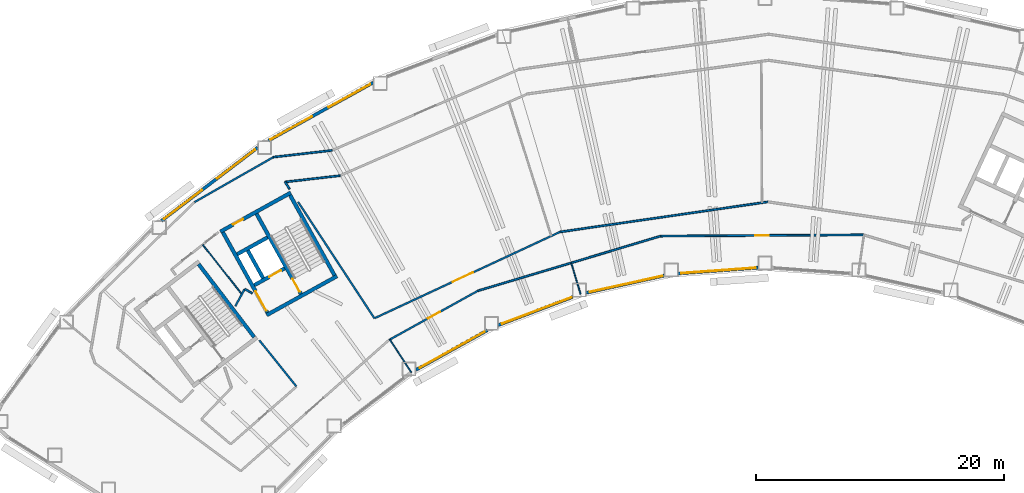
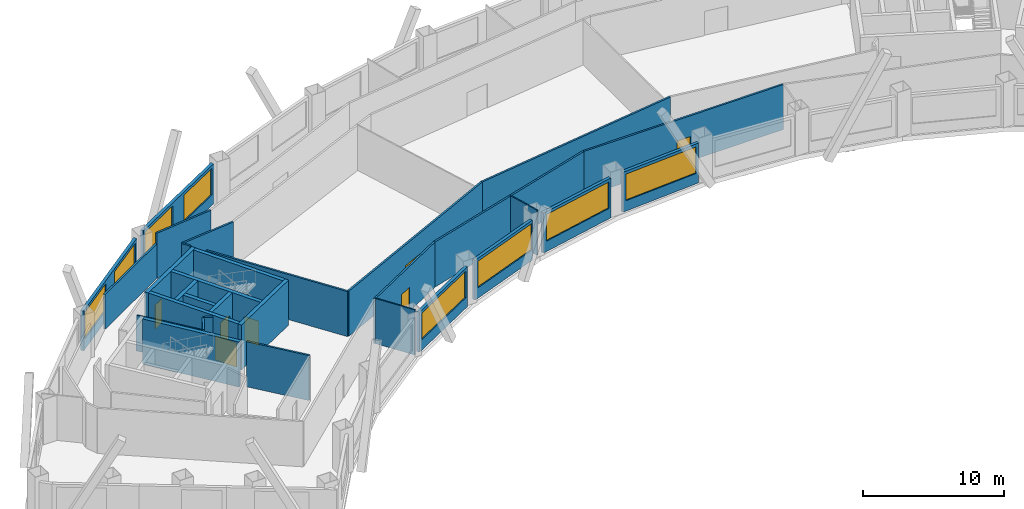
# One storey, part 4 of 11: 31 walls, 8 windows, 7 doors, 15 openings.
"""IFC4 building model written with IfcOpenShell, lengths in metres."""

from ifc_helpers import new_model, si_unit, direction, frame, frame_2d, origin, place, context, subcontext, project, spatial, rectangle, extrude, material, layer, layer_set, type_object, element, fill, save


model = new_model("IFC4")

# Units and contexts
model_context = context("Model", 3, precision=1e-05, world=origin(), true_north=direction((0.0, 1.0)))
body_context = subcontext(model_context, "Body", "Model", "MODEL_VIEW")
ifc_project = project(units=[si_unit("LENGTHUNIT", "METRE"), si_unit("AREAUNIT", "SQUARE_METRE"), si_unit("VOLUMEUNIT", "CUBIC_METRE"), si_unit("PLANEANGLEUNIT", "RADIAN"), si_unit("MASSUNIT", "GRAM", prefix="KILO")], contexts=[model_context])

# Site, building, storey
site_placement = place(None, origin())
site = spatial("IfcSite", under=ifc_project, at=site_placement, CompositionType="ELEMENT")
building_placement = place(site_placement, origin())
building = spatial("IfcBuilding", under=site, at=building_placement, Name="Tuul Gate Civic Tower", CompositionType="ELEMENT")
storey_placement = place(building_placement, frame((0.0, 0.0, 99.300048828125)))
storey = spatial("IfcBuildingStorey", under=building, at=storey_placement, Name="Level 22", CompositionType="ELEMENT", Elevation=99.300048828125)

# Walls
ifc_material_1 = material(Name="Concrete C50/60", Category="concrete")
ifc_layer_1 = layer(ifc_material_1, 0.300048828125)
ifc_layer_set_1 = layer_set([ifc_layer_1], Name="Concrete C50/60")
wall_type_1 = type_object("IfcWallType", Name="Core wall C50/60", PredefinedType="SHEAR", material=ifc_layer_set_1)
wall_1_placement = place(storey_placement, frame((-31.401123046875, -13.64111328125, 0.0), z_axis=(0.0, 0.0, 1.0), x_axis=(-0.605769822278, 0.795639945213, 0.0)))
element("IfcWall", 1, at=wall_1_placement, inside=storey, type_object=wall_type_1, Name="Core wall", PredefinedType="SHEAR", context=body_context, shape_type="SweptSolid", body=[
    extrude(rectangle(XDim=7.39990234375, YDim=0.300048828125, at=frame_2d((3.699951171875, 0.0))), origin(), (0.0, 0.0, 1.0), 3.89990234375),
])
wall_2_placement = place(storey_placement, frame((-24.711669921875, -8.7158203125, 0.0), z_axis=(0.0, 0.0, 1.0), x_axis=(-0.874629909008, -0.484791215132, 0.0)))
element("IfcWall", 2, at=wall_2_placement, inside=storey, type_object=wall_type_1, Name="Core wall", PredefinedType="SHEAR", context=body_context, shape_type="SweptSolid", body=[
    extrude(rectangle(XDim=6.5, YDim=0.300048828125, at=frame_2d((3.25, 0.0))), origin(), (0.0, 0.0, 1.0), 3.89990234375),
])

# Wall, opening, door
wall_3_placement = place(storey_placement, frame((-28.94580078125, -8.090087890625, 0.0), z_axis=(0.0, 0.0, 1.0), x_axis=(-0.874629840737, -0.484791338301, 0.0)))
wall_3 = element("IfcWall", 3, at=wall_3_placement, inside=storey, type_object=wall_type_1, Name="Core wall", PredefinedType="SHEAR", context=body_context, shape_type="SweptSolid", body=[
    extrude(rectangle(XDim=2.800048828125, YDim=0.300048828125, at=frame_2d((1.39990234375, 0.0))), origin(), (0.0, 0.0, 1.0), 3.89990234375),
])
opening_1_placement = place(wall_3_placement, frame((0.324951171875, 0.0, 0.0)))
opening_1 = element("IfcOpeningElement", 4, at=opening_1_placement, cuts=wall_3, Name="Opening LD-FF-1", PredefinedType="OPENING", context=body_context, shape_type="SweptSolid", body=[
    extrude(rectangle(XDim=1.10009765625, YDim=2.10009765625, at=frame_2d((0.550048828125, 1.050048828125))), frame((0.0, 0.16015625, 0.0), z_axis=(0.0, -1.0, 0.0), x_axis=(1.0, 0.0, 0.0)), (0.0, 0.0, 1.0), 0.320068359375),
])
ifc_material_2 = material(Name="Stainless steel", Category="steel")
door_type_1 = type_object("IfcDoorType", Name="Landing door", OperationType="DOUBLE_DOOR_SLIDING", PredefinedType="DOOR", material=ifc_material_2)
door_1_placement = place(opening_1_placement, origin())
door_1 = element("IfcDoor", 5, at=door_1_placement, inside=storey, type_object=door_type_1, Name="Fire-fighting lift FF-1 landing door", OperationType="DOUBLE_DOOR_SLIDING", OverallHeight=2.10009765625, OverallWidth=1.10009765625, PredefinedType="DOOR", context=body_context, shape_type="SweptSolid", body=[
    extrude(rectangle(XDim=1.10009765625, YDim=2.10009765625, at=frame_2d((0.550048828125, 1.050048828125))), frame((0.0, 0.02490234375, 0.0), z_axis=(0.0, -1.0, 0.0), x_axis=(1.0, 0.0, 0.0)), (0.0, 0.0, 1.0), 0.050048828125),
])
fill(opening_1, door_1)

# Wall
wall_4_placement = place(storey_placement, frame((-30.327392578125, -5.59716796875, 0.0), z_axis=(0.0, 0.0, 1.0), x_axis=(-0.874629840737, -0.484791338301, 0.0)))
element("IfcWall", 6, at=wall_4_placement, inside=storey, type_object=wall_type_1, Name="Core wall", PredefinedType="SHEAR", context=body_context, shape_type="SweptSolid", body=[
    extrude(rectangle(XDim=2.800048828125, YDim=0.300048828125, at=frame_2d((1.39990234375, 0.0))), origin(), (0.0, 0.0, 1.0), 3.89990234375),
])

# Wall, opening, door
wall_5_placement = place(storey_placement, frame((-28.4443359375, -1.98095703125, 0.0), z_axis=(0.0, 0.0, 1.0), x_axis=(-0.874629909008, -0.484791215132, 0.0)))
wall_5 = element("IfcWall", 7, at=wall_5_placement, inside=storey, type_object=wall_type_1, Name="Core wall", PredefinedType="SHEAR", context=body_context, shape_type="SweptSolid", body=[
    extrude(rectangle(XDim=6.5, YDim=0.300048828125, at=frame_2d((3.25, 0.0))), origin(), (0.0, 0.0, 1.0), 3.89990234375),
])
opening_2_placement = place(wall_5_placement, frame((4.425048828125, 0.0, 0.0)))
opening_2 = element("IfcOpeningElement", 8, at=opening_2_placement, cuts=wall_5, Name="Opening G-D26", PredefinedType="OPENING", context=body_context, shape_type="SweptSolid", body=[
    extrude(rectangle(XDim=0.89990234375, YDim=2.10009765625, at=frame_2d((0.449951171875, 1.050048828125))), frame((0.0, 0.16015625, 0.0), z_axis=(0.0, -1.0, 0.0), x_axis=(1.0, 0.0, 0.0)), (0.0, 0.0, 1.0), 0.320068359375),
])
ifc_material_3 = material(Name="Timber door leaf", Category="wood")
door_type_2 = type_object("IfcDoorType", Name="Door D09", OperationType="NOTDEFINED", PredefinedType="DOOR", material=ifc_material_3)
door_2_placement = place(opening_2_placement, origin())
door_2 = element("IfcDoor", 9, at=door_2_placement, inside=storey, type_object=door_type_2, Name="Door G-D26", OperationType="SINGLE_SWING_LEFT", OverallHeight=2.10009765625, OverallWidth=0.89990234375, PredefinedType="DOOR", context=body_context, shape_type="SweptSolid", body=[
    extrude(rectangle(XDim=0.89990234375, YDim=2.10009765625, at=frame_2d((0.449951171875, 1.050048828125))), frame((0.0, 0.02490234375, 0.0), z_axis=(0.0, -1.0, 0.0), x_axis=(1.0, 0.0, 0.0)), (0.0, 0.0, 1.0), 0.050048828125),
])
fill(opening_2, door_2)

# Wall
wall_6_placement = place(storey_placement, frame((-24.91552734375, -8.6572265625, 0.0), z_axis=(0.0, 0.0, 1.0), x_axis=(-0.484777133038, 0.874637714304, 0.0)))
element("IfcWall", 10, at=wall_6_placement, inside=storey, type_object=wall_type_1, Name="Core wall", PredefinedType="SHEAR", context=body_context, shape_type="SweptSolid", body=[
    extrude(rectangle(XDim=7.400146484375, YDim=0.300048828125, at=frame_2d((3.7001953125, 0.0))), origin(), (0.0, 0.0, 1.0), 3.89990234375),
])

# Wall, opening, door
wall_7_placement = place(storey_placement, frame((-27.626953125, -10.16015625, 0.0), z_axis=(0.0, 0.0, 1.0), x_axis=(-0.484751894226, 0.874651702704, 0.0)))
wall_7 = element("IfcWall", 11, at=wall_7_placement, inside=storey, type_object=wall_type_1, Name="Core wall", PredefinedType="SHEAR", context=body_context, shape_type="SweptSolid", body=[
    extrude(rectangle(XDim=7.39990234375, YDim=0.300048828125, at=frame_2d((3.699951171875, 0.0))), origin(), (0.0, 0.0, 1.0), 3.89990234375),
])
opening_3_placement = place(wall_7_placement, frame((0.199951171875, 0.0, 0.0)))
opening_3 = element("IfcOpeningElement", 12, at=opening_3_placement, cuts=wall_7, Name="Opening SD-ST-2", PredefinedType="OPENING", context=body_context, shape_type="SweptSolid", body=[
    extrude(rectangle(XDim=1.199951171875, YDim=2.10009765625, at=frame_2d((0.60009765625, 1.050048828125))), frame((0.0, 0.16015625, 0.0), z_axis=(0.0, -1.0, 0.0), x_axis=(1.0, 0.0, 0.0)), (0.0, 0.0, 1.0), 0.320068359375),
])
ifc_material_4 = material(Name="Steel", Category="steel")
door_type_3 = type_object("IfcDoorType", Name="Stair door", OperationType="NOTDEFINED", PredefinedType="DOOR", material=ifc_material_4)
door_3_placement = place(opening_3_placement, origin())
door_3 = element("IfcDoor", 13, at=door_3_placement, inside=storey, type_object=door_type_3, Name="Stair door ST-2", OperationType="SINGLE_SWING_LEFT", OverallHeight=2.10009765625, OverallWidth=1.199951171875, PredefinedType="DOOR", context=body_context, shape_type="SweptSolid", body=[
    extrude(rectangle(XDim=1.199951171875, YDim=2.10009765625, at=frame_2d((0.60009765625, 1.050048828125))), frame((0.0, 0.02490234375, 0.0), z_axis=(0.0, -1.0, 0.0), x_axis=(1.0, 0.0, 0.0)), (0.0, 0.0, 1.0), 0.050048828125),
])
fill(opening_3, door_3)

# Wall
wall_8_placement = place(storey_placement, frame((-30.680419921875, -8.8798828125, 0.0), z_axis=(0.0, 0.0, 1.0), x_axis=(-0.484724115216, 0.874667097888, 0.0)))
element("IfcWall", 14, at=wall_8_placement, inside=storey, type_object=wall_type_1, Name="Core wall", PredefinedType="SHEAR", context=body_context, shape_type="SweptSolid", body=[
    extrude(rectangle(XDim=2.550048828125, YDim=0.300048828125, at=frame_2d((1.27490234375, 0.0))), origin(), (0.0, 0.0, 1.0), 3.89990234375),
])

# Wall, opening, door
wall_9_placement = place(storey_placement, frame((-30.33837890625, -11.6630859375, 0.0), z_axis=(0.0, 0.0, 1.0), x_axis=(-0.484751894226, 0.874651702704, 0.0)))
wall_9 = element("IfcWall", 15, at=wall_9_placement, inside=storey, type_object=wall_type_1, Name="Core wall", PredefinedType="SHEAR", context=body_context, shape_type="SweptSolid", body=[
    extrude(rectangle(XDim=7.39990234375, YDim=0.300048828125, at=frame_2d((3.699951171875, 0.0))), origin(), (0.0, 0.0, 1.0), 3.89990234375),
])
opening_4_placement = place(wall_9_placement, frame((0.175048828125, 0.0, 0.0)))
opening_4 = element("IfcOpeningElement", 16, at=opening_4_placement, cuts=wall_9, Name="Opening LB-W2-FLOBBY-1", PredefinedType="OPENING", context=body_context, shape_type="SweptSolid", body=[
    extrude(rectangle(XDim=1.800048828125, YDim=2.10009765625, at=frame_2d((0.89990234375, 1.050048828125))), frame((0.0, 0.16015625, 0.0), z_axis=(0.0, -1.0, 0.0), x_axis=(1.0, 0.0, 0.0)), (0.0, 0.0, 1.0), 0.320068359375),
])
ifc_material_5 = material(Name="Steel", Category="steel")
door_type_4 = type_object("IfcDoorType", Name="Lobby door", OperationType="DOUBLE_DOOR_SINGLE_SWING", PredefinedType="DOOR", material=ifc_material_5)
door_4_placement = place(opening_4_placement, origin())
door_4 = element("IfcDoor", 17, at=door_4_placement, inside=storey, type_object=door_type_4, Name="Lobby door W2-FLOBBY", OperationType="DOUBLE_DOOR_SINGLE_SWING", OverallHeight=2.10009765625, OverallWidth=1.800048828125, PredefinedType="DOOR", context=body_context, shape_type="SweptSolid", body=[
    extrude(rectangle(XDim=1.800048828125, YDim=2.10009765625, at=frame_2d((0.89990234375, 1.050048828125))), frame((0.0, 0.02490234375, 0.0), z_axis=(0.0, -1.0, 0.0), x_axis=(1.0, 0.0, 0.0)), (0.0, 0.0, 1.0), 0.050048828125),
])
fill(opening_4, door_4)

# Wall
ifc_material_6 = material(Name="Gypsum board partition")
ifc_layer_2 = layer(ifc_material_6, 0.14990234375)
ifc_layer_set_2 = layer_set([ifc_layer_2], Name="Gypsum board partition")
wall_type_2 = type_object("IfcWallType", Name="Corridor wall P150", PredefinedType="PARTITIONING", material=ifc_layer_set_2)
wall_10_placement = place(storey_placement, frame((-29.85791015625, 0.8837890625, 0.0), z_axis=(0.0, 0.0, 1.0), x_axis=(0.993420797648, 0.11452125916, 0.0)))
element("IfcWall", 18, at=wall_10_placement, inside=storey, type_object=wall_type_2, Name="p019", PredefinedType="PARTITIONING", context=body_context, shape_type="SweptSolid", body=[
    extrude(rectangle(XDim=4.775390625, YDim=0.14990234375, at=frame_2d((2.3876953125, 0.0))), origin(), (0.0, 0.0, 1.0), 3.89990234375),
])

# Wall, opening, door
wall_11_placement = place(storey_placement, frame((-20.523681640625, -13.8740234375, 0.0), z_axis=(0.0, 0.0, 1.0), x_axis=(0.87496163659, 0.48419224952, 0.0)))
wall_11 = element("IfcWall", 19, at=wall_11_placement, inside=storey, type_object=wall_type_2, Name="p025", PredefinedType="PARTITIONING", context=body_context, shape_type="SweptSolid", body=[
    extrude(rectangle(XDim=8.205810546875, YDim=0.14990234375, at=frame_2d((4.10302734375, 0.0))), origin(), (0.0, 0.0, 1.0), 3.89990234375),
])
opening_5_placement = place(wall_11_placement, frame((3.59326171875, 0.0, 0.0)))
opening_5 = element("IfcOpeningElement", 20, at=opening_5_placement, cuts=wall_11, Name="Opening G-D11", PredefinedType="OPENING", context=body_context, shape_type="SweptSolid", body=[
    extrude(rectangle(XDim=1.10009765625, YDim=2.10009765625, at=frame_2d((0.550048828125, 1.050048828125))), frame((0.0, 0.0849609375, 0.0), z_axis=(0.0, -1.0, 0.0), x_axis=(1.0, 0.0, 0.0)), (0.0, 0.0, 1.0), 0.169921875),
])
ifc_material_7 = material(Name="Timber door leaf", Category="wood")
door_type_5 = type_object("IfcDoorType", Name="Door D11", OperationType="NOTDEFINED", PredefinedType="DOOR", material=ifc_material_7)
door_5_placement = place(opening_5_placement, frame((1.10009765625, 0.0, 0.0), z_axis=(0.0, 0.0, 1.0), x_axis=(-1.0, 0.0, 0.0)))
door_5 = element("IfcDoor", 21, at=door_5_placement, inside=storey, type_object=door_type_5, Name="Door G-D11", OperationType="SINGLE_SWING_LEFT", OverallHeight=2.10009765625, OverallWidth=1.10009765625, PredefinedType="DOOR", context=body_context, shape_type="SweptSolid", body=[
    extrude(rectangle(XDim=1.10009765625, YDim=2.10009765625, at=frame_2d((0.550048828125, 1.050048828125))), frame((0.0, 0.02490234375, 0.0), z_axis=(0.0, -1.0, 0.0), x_axis=(1.0, 0.0, 0.0)), (0.0, 0.0, 1.0), 0.050048828125),
])
fill(opening_5, door_5)

# Wall
wall_12_placement = place(storey_placement, frame((-13.343994140625, -9.90087890625, 0.0), z_axis=(0.0, 0.0, 1.0), x_axis=(0.958028580742, 0.286672702713, 0.0)))
element("IfcWall", 22, at=wall_12_placement, inside=storey, type_object=wall_type_2, Name="p032", PredefinedType="PARTITIONING", context=body_context, shape_type="SweptSolid", body=[
    extrude(rectangle(XDim=15.39404296875, YDim=0.14990234375, at=frame_2d((7.697021484375, 0.0))), origin(), (0.0, 0.0, 1.0), 3.89990234375),
])

# Wall, opening, door
wall_13_placement = place(storey_placement, frame((1.40966796875, -5.487060546875, 0.0), z_axis=(0.0, 0.0, 1.0), x_axis=(0.999981463066, 0.006088803214, 0.0)))
wall_13 = element("IfcWall", 23, at=wall_13_placement, inside=storey, type_object=wall_type_2, Name="p033", PredefinedType="PARTITIONING", context=body_context, shape_type="SweptSolid", body=[
    extrude(rectangle(XDim=16.359375, YDim=0.14990234375, at=frame_2d((8.1796875, 0.0))), origin(), (0.0, 0.0, 1.0), 3.89990234375),
])
opening_6_placement = place(wall_13_placement, frame((7.629638671875, 0.0, 0.0)))
opening_6 = element("IfcOpeningElement", 24, at=opening_6_placement, cuts=wall_13, Name="Opening G-D10", PredefinedType="OPENING", context=body_context, shape_type="SweptSolid", body=[
    extrude(rectangle(XDim=1.10009765625, YDim=2.10009765625, at=frame_2d((0.550048828125, 1.050048828125))), frame((0.0, 0.0849609375, 0.0), z_axis=(0.0, -1.0, 0.0), x_axis=(1.0, 0.0, 0.0)), (0.0, 0.0, 1.0), 0.169921875),
])
door_6_placement = place(opening_6_placement, frame((1.10009765625, 0.0, 0.0), z_axis=(0.0, 0.0, 1.0), x_axis=(-1.0, 0.0, 0.0)))
door_6 = element("IfcDoor", 25, at=door_6_placement, inside=storey, type_object=door_type_5, Name="Door G-D10", OperationType="SINGLE_SWING_LEFT", OverallHeight=2.10009765625, OverallWidth=1.10009765625, PredefinedType="DOOR", context=body_context, shape_type="SweptSolid", body=[
    extrude(rectangle(XDim=1.10009765625, YDim=2.10009765625, at=frame_2d((0.550048828125, 1.050048828125))), frame((0.0, 0.02490234375, 0.0), z_axis=(0.0, -1.0, 0.0), x_axis=(1.0, 0.0, 0.0)), (0.0, 0.0, 1.0), 0.050048828125),
])
fill(opening_6, door_6)

# Walls
wall_14_placement = place(storey_placement, frame((-32.92578125, -11.143310546875, 0.0), z_axis=(0.0, 0.0, 1.0), x_axis=(0.479689142652, 0.877438502929, 0.0)))
element("IfcWall", 26, at=wall_14_placement, inside=storey, type_object=wall_type_2, Name="p037", PredefinedType="PARTITIONING", context=body_context, shape_type="SweptSolid", body=[
    extrude(rectangle(XDim=1.5732421875, YDim=0.14990234375, at=frame_2d((0.78662109375, 0.0))), origin(), (0.0, 0.0, 1.0), 3.89990234375),
])
wall_15_placement = place(storey_placement, frame((-6.727783203125, -5.15380859375, 0.0), z_axis=(0.0, 0.0, 1.0), x_axis=(0.989704104378, 0.143128563805, 0.0)))
element("IfcWall", 27, at=wall_15_placement, inside=storey, type_object=wall_type_2, Name="p069", PredefinedType="PARTITIONING", context=body_context, shape_type="SweptSolid", body=[
    extrude(rectangle(XDim=16.9755859375, YDim=0.14990234375, at=frame_2d((8.48779296875, 0.0))), origin(), (0.0, 0.0, 1.0), 3.89990234375),
])

# Wall, opening, door
wall_16_placement = place(storey_placement, frame((-21.67578125, -12.111572265625, 0.0), z_axis=(0.0, 0.0, 1.0), x_axis=(0.906600325939, 0.421990342315, 0.0)))
wall_16 = element("IfcWall", 28, at=wall_16_placement, inside=storey, type_object=wall_type_2, Name="p072", PredefinedType="PARTITIONING", context=body_context, shape_type="SweptSolid", body=[
    extrude(rectangle(XDim=16.488037109375, YDim=0.14990234375, at=frame_2d((8.244140625, 0.0))), origin(), (0.0, 0.0, 1.0), 3.89990234375),
])
opening_7_placement = place(wall_16_placement, frame((6.957763671875, 0.0, 0.0)))
opening_7 = element("IfcOpeningElement", 29, at=opening_7_placement, cuts=wall_16, Name="Opening G-D19", PredefinedType="OPENING", context=body_context, shape_type="SweptSolid", body=[
    extrude(rectangle(XDim=1.800048828125, YDim=2.10009765625, at=frame_2d((0.89990234375, 1.050048828125))), frame((0.0, 0.0849609375, 0.0), z_axis=(0.0, -1.0, 0.0), x_axis=(1.0, 0.0, 0.0)), (0.0, 0.0, 1.0), 0.169921875),
])
ifc_material_8 = material(Name="Timber door leaf, double", Category="wood")
door_type_6 = type_object("IfcDoorType", Name="Door D18", OperationType="DOUBLE_DOOR_SINGLE_SWING", PredefinedType="DOOR", material=ifc_material_8)
door_7_placement = place(opening_7_placement, origin())
door_7 = element("IfcDoor", 30, at=door_7_placement, inside=storey, type_object=door_type_6, Name="Door G-D19", OperationType="DOUBLE_DOOR_SINGLE_SWING", OverallHeight=2.10009765625, OverallWidth=1.800048828125, PredefinedType="DOOR", context=body_context, shape_type="SweptSolid", body=[
    extrude(rectangle(XDim=1.800048828125, YDim=2.10009765625, at=frame_2d((0.89990234375, 1.050048828125))), frame((0.0, 0.02490234375, 0.0), z_axis=(0.0, -1.0, 0.0), x_axis=(1.0, 0.0, 0.0)), (0.0, 0.0, 1.0), 0.050048828125),
])
fill(opening_7, door_7)

# Walls
wall_17_placement = place(storey_placement, frame((-28.912841796875, -1.12109375, 0.0), z_axis=(0.0, 0.0, 1.0), x_axis=(0.548233721812, -0.836325167784, 0.0)))
element("IfcWall", 31, at=wall_17_placement, inside=storey, type_object=wall_type_2, Name="p073", PredefinedType="PARTITIONING", context=body_context, shape_type="SweptSolid", body=[
    extrude(rectangle(XDim=0.681396484375, YDim=0.14990234375, at=frame_2d((0.3408203125, 0.0))), origin(), (0.0, 0.0, 1.0), 3.89990234375),
])
wall_18_placement = place(storey_placement, frame((-27.85595703125, -2.7333984375, 0.0), z_axis=(0.0, 0.0, 1.0), x_axis=(0.548305144372, -0.836278344007, 0.0)))
element("IfcWall", 32, at=wall_18_placement, inside=storey, type_object=wall_type_2, Name="p074", PredefinedType="PARTITIONING", context=body_context, shape_type="SweptSolid", body=[
    extrude(rectangle(XDim=11.23486328125, YDim=0.14990234375, at=frame_2d((5.617431640625, 0.0))), origin(), (0.0, 0.0, 1.0), 3.89990234375),
])
wall_19_placement = place(storey_placement, frame((-28.912841796875, -1.12109375, 0.0), z_axis=(0.0, 0.0, 1.0), x_axis=(0.993432798805, 0.114417106494, 0.0)))
element("IfcWall", 33, at=wall_19_placement, inside=storey, type_object=wall_type_2, Name="p075", PredefinedType="PARTITIONING", context=body_context, shape_type="SweptSolid", body=[
    extrude(rectangle(XDim=4.4765625, YDim=0.14990234375, at=frame_2d((2.23828125, 0.0))), origin(), (0.0, 0.0, 1.0), 3.89990234375),
])
wall_20_placement = place(storey_placement, frame((-30.98828125, -13.893310546875, 0.0), z_axis=(0.0, 0.0, 1.0), x_axis=(0.625941135906, -0.779870306129, 0.0)))
element("IfcWall", 34, at=wall_20_placement, inside=storey, type_object=wall_type_2, Name="p077", PredefinedType="PARTITIONING", context=body_context, shape_type="SweptSolid", body=[
    extrude(rectangle(XDim=4.775634765625, YDim=0.14990234375, at=frame_2d((2.3876953125, 0.0))), origin(), (0.0, 0.0, 1.0), 3.89990234375),
])
wall_21_placement = place(storey_placement, frame((-32.1708984375, -9.762939453125, 0.0), z_axis=(0.0, 0.0, 1.0), x_axis=(0.877058567063, -0.480383461352, 0.0)))
element("IfcWall", 35, at=wall_21_placement, inside=storey, type_object=wall_type_2, Name="p082", PredefinedType="PARTITIONING", context=body_context, shape_type="SweptSolid", body=[
    extrude(rectangle(XDim=0.714599609375, YDim=0.14990234375, at=frame_2d((0.357421875, 0.0))), origin(), (0.0, 0.0, 1.0), 3.89990234375),
])
ifc_material_9 = material(Name="Gypsum board partition")
ifc_layer_3 = layer(ifc_material_9, 0.14990234375)
ifc_layer_set_3 = layer_set([ifc_layer_3], Name="Gypsum board partition")
wall_type_3 = type_object("IfcWallType", Name="Corridor wall P150 3000 HIGH", PredefinedType="PARTITIONING", material=ifc_layer_set_3)
wall_22_placement = place(storey_placement, frame((-36.208251953125, -2.74169921875, 0.0), z_axis=(0.0, 0.0, 1.0), x_axis=(0.868436208841, 0.495800918892, 0.0)))
element("IfcWall", 36, at=wall_22_placement, inside=storey, type_object=wall_type_3, Name="p020", PredefinedType="PARTITIONING", context=body_context, shape_type="SweptSolid", body=[
    extrude(rectangle(XDim=7.3125, YDim=0.14990234375, at=frame_2d((3.65625, 0.0))), origin(), (0.0, 0.0, 1.0), 3.0),
])

# Wall, openings, windows
ifc_material_10 = material(Name="Precast concrete C40/50", Category="concrete")
ifc_layer_4 = layer(ifc_material_10, 0.25)
ifc_layer_set_4 = layer_set([ifc_layer_4], Name="Precast concrete C40/50")
wall_type_4 = type_object("IfcWallType", Name="External wall", PredefinedType="STANDARD", material=ifc_layer_set_4)
wall_23_placement = place(storey_placement, frame((-21.784912109375, 6.907470703125, 0.0), z_axis=(0.0, 0.0, 1.0), x_axis=(-0.874619623874, -0.484809770461, 0.0)))
wall_23 = element("IfcWall", 37, at=wall_23_placement, inside=storey, type_object=wall_type_4, Name="External wall", PredefinedType="STANDARD", context=body_context, shape_type="SweptSolid", body=[
    extrude(rectangle(XDim=9.680908203125, YDim=0.25, at=frame_2d((4.84033203125, 0.0))), origin(), (0.0, 0.0, 1.0), 3.449951171875),
])
opening_8_placement = place(wall_23_placement, frame((0.279541015625, 0.0, 0.89990234375)))
opening_8 = element("IfcOpeningElement", 38, at=opening_8_placement, cuts=wall_23, Name="Opening W22", PredefinedType="OPENING", context=body_context, shape_type="SweptSolid", body=[
    extrude(rectangle(XDim=3.85009765625, YDim=2.300048828125, at=frame_2d((1.925048828125, 1.14990234375))), frame((0.0, 0.135009765625, 0.0), z_axis=(0.0, -1.0, 0.0), x_axis=(1.0, 0.0, 0.0)), (0.0, 0.0, 1.0), 0.27001953125),
])
opening_9_placement = place(wall_23_placement, frame((5.650634765625, 0.0, 0.89990234375)))
opening_9 = element("IfcOpeningElement", 39, at=opening_9_placement, cuts=wall_23, Name="Opening W22", PredefinedType="OPENING", context=body_context, shape_type="SweptSolid", body=[
    extrude(rectangle(XDim=3.85009765625, YDim=2.300048828125, at=frame_2d((1.925048828125, 1.14990234375))), frame((0.0, 0.135009765625, 0.0), z_axis=(0.0, -1.0, 0.0), x_axis=(1.0, 0.0, 0.0)), (0.0, 0.0, 1.0), 0.27001953125),
])
ifc_material_11 = material(Name="Glass", Category="glass")
window_type_1 = type_object("IfcWindowType", Name="Window W22 3850 x 2300", PartitioningType="SINGLE_PANEL", PredefinedType="WINDOW", material=ifc_material_11)
window_1_placement = place(opening_8_placement, origin())
window_1 = element("IfcWindow", 40, at=window_1_placement, inside=storey, type_object=window_type_1, Name="Window", OverallHeight=2.300048828125, OverallWidth=3.85009765625, PartitioningType="SINGLE_PANEL", PredefinedType="WINDOW", context=body_context, shape_type="SweptSolid", body=[
    extrude(rectangle(XDim=3.85009765625, YDim=2.300048828125, at=frame_2d((1.925048828125, 1.14990234375))), frame((0.0, 0.030029296875, 0.0), z_axis=(0.0, -1.0, 0.0), x_axis=(1.0, 0.0, 0.0)), (0.0, 0.0, 1.0), 0.06005859375),
])
fill(opening_8, window_1)
window_2_placement = place(opening_9_placement, origin())
window_2 = element("IfcWindow", 41, at=window_2_placement, inside=storey, type_object=window_type_1, Name="Window", OverallHeight=2.300048828125, OverallWidth=3.85009765625, PartitioningType="SINGLE_PANEL", PredefinedType="WINDOW", context=body_context, shape_type="SweptSolid", body=[
    extrude(rectangle(XDim=3.85009765625, YDim=2.300048828125, at=frame_2d((1.925048828125, 1.14990234375))), frame((0.0, 0.030029296875, 0.0), z_axis=(0.0, -1.0, 0.0), x_axis=(1.0, 0.0, 0.0)), (0.0, 0.0, 1.0), 0.06005859375),
])
fill(opening_9, window_2)

wall_24_placement = place(storey_placement, frame((-31.1240234375, 1.6533203125, 0.0), z_axis=(0.0, 0.0, 1.0), x_axis=(-0.795622492649, -0.605792744419, 0.0)))
wall_24 = element("IfcWall", 42, at=wall_24_placement, inside=storey, type_object=wall_type_4, Name="External wall", PredefinedType="STANDARD", context=body_context, shape_type="SweptSolid", body=[
    extrude(rectangle(XDim=9.751220703125, YDim=0.25, at=frame_2d((4.87548828125, 0.0))), origin(), (0.0, 0.0, 1.0), 3.449951171875),
])
opening_10_placement = place(wall_24_placement, frame((0.283447265625, 0.0, 0.89990234375)))
opening_10 = element("IfcOpeningElement", 43, at=opening_10_placement, cuts=wall_24, Name="Opening W22", PredefinedType="OPENING", context=body_context, shape_type="SweptSolid", body=[
    extrude(rectangle(XDim=3.85009765625, YDim=2.300048828125, at=frame_2d((1.925048828125, 1.14990234375))), frame((0.0, 0.135009765625, 0.0), z_axis=(0.0, -1.0, 0.0), x_axis=(1.0, 0.0, 0.0)), (0.0, 0.0, 1.0), 0.27001953125),
])
opening_11_placement = place(wall_24_placement, frame((5.65478515625, 0.0, 0.89990234375)))
opening_11 = element("IfcOpeningElement", 44, at=opening_11_placement, cuts=wall_24, Name="Opening W22", PredefinedType="OPENING", context=body_context, shape_type="SweptSolid", body=[
    extrude(rectangle(XDim=3.85009765625, YDim=2.300048828125, at=frame_2d((1.925048828125, 1.14990234375))), frame((0.0, 0.135009765625, 0.0), z_axis=(0.0, -1.0, 0.0), x_axis=(1.0, 0.0, 0.0)), (0.0, 0.0, 1.0), 0.27001953125),
])
window_3_placement = place(opening_10_placement, origin())
window_3 = element("IfcWindow", 45, at=window_3_placement, inside=storey, type_object=window_type_1, Name="Window", OverallHeight=2.300048828125, OverallWidth=3.85009765625, PartitioningType="SINGLE_PANEL", PredefinedType="WINDOW", context=body_context, shape_type="SweptSolid", body=[
    extrude(rectangle(XDim=3.85009765625, YDim=2.300048828125, at=frame_2d((1.925048828125, 1.14990234375))), frame((0.0, 0.030029296875, 0.0), z_axis=(0.0, -1.0, 0.0), x_axis=(1.0, 0.0, 0.0)), (0.0, 0.0, 1.0), 0.06005859375),
])
fill(opening_10, window_3)
window_4_placement = place(opening_11_placement, origin())
window_4 = element("IfcWindow", 46, at=window_4_placement, inside=storey, type_object=window_type_1, Name="Window", OverallHeight=2.300048828125, OverallWidth=3.85009765625, PartitioningType="SINGLE_PANEL", PredefinedType="WINDOW", context=body_context, shape_type="SweptSolid", body=[
    extrude(rectangle(XDim=3.85009765625, YDim=2.300048828125, at=frame_2d((1.925048828125, 1.14990234375))), frame((0.0, 0.030029296875, 0.0), z_axis=(0.0, -1.0, 0.0), x_axis=(1.0, 0.0, 0.0)), (0.0, 0.0, 1.0), 0.06005859375),
])
fill(opening_11, window_4)

# Wall, opening, window
wall_25_placement = place(storey_placement, frame((-18.347900390625, -16.2841796875, 0.0), z_axis=(0.0, 0.0, 1.0), x_axis=(0.874603961928, 0.484838024272, 0.0)))
wall_25 = element("IfcWall", 47, at=wall_25_placement, inside=storey, type_object=wall_type_4, Name="External wall", PredefinedType="STANDARD", context=body_context, shape_type="SweptSolid", body=[
    extrude(rectangle(XDim=6.594482421875, YDim=0.25, at=frame_2d((3.29736328125, 0.0))), origin(), (0.0, 0.0, 1.0), 3.449951171875),
])
opening_12_placement = place(wall_25_placement, frame((0.34765625, 0.0, 0.89990234375)))
opening_12 = element("IfcOpeningElement", 48, at=opening_12_placement, cuts=wall_25, Name="Opening W26", PredefinedType="OPENING", context=body_context, shape_type="SweptSolid", body=[
    extrude(rectangle(XDim=6.0, YDim=2.300048828125, at=frame_2d((3.0, 1.14990234375))), frame((0.0, 0.135009765625, 0.0), z_axis=(0.0, -1.0, 0.0), x_axis=(1.0, 0.0, 0.0)), (0.0, 0.0, 1.0), 0.27001953125),
])
ifc_material_12 = material(Name="Glass", Category="glass")
window_type_2 = type_object("IfcWindowType", Name="Window W26 6000 x 2300", PartitioningType="SINGLE_PANEL", PredefinedType="WINDOW", material=ifc_material_12)
window_5_placement = place(opening_12_placement, origin())
window_5 = element("IfcWindow", 49, at=window_5_placement, inside=storey, type_object=window_type_2, Name="Window", OverallHeight=2.300048828125, OverallWidth=6.0, PartitioningType="SINGLE_PANEL", PredefinedType="WINDOW", context=body_context, shape_type="SweptSolid", body=[
    extrude(rectangle(XDim=6.0, YDim=2.300048828125, at=frame_2d((3.0, 1.14990234375))), frame((0.0, 0.030029296875, 0.0), z_axis=(0.0, -1.0, 0.0), x_axis=(1.0, 0.0, 0.0)), (0.0, 0.0, 1.0), 0.06005859375),
])
fill(opening_12, window_5)

wall_26_placement = place(storey_placement, frame((-11.7080078125, -12.67626953125, 0.0), z_axis=(0.0, 0.0, 1.0), x_axis=(0.935366053459, 0.353681136106, 0.0)))
wall_26 = element("IfcWall", 50, at=wall_26_placement, inside=storey, type_object=wall_type_4, Name="External wall", PredefinedType="STANDARD", context=body_context, shape_type="SweptSolid", body=[
    extrude(rectangle(XDim=6.429931640625, YDim=0.25, at=frame_2d((3.21484375, 0.0))), origin(), (0.0, 0.0, 1.0), 3.449951171875),
])
opening_13_placement = place(wall_26_placement, frame((0.3310546875, 0.0, 0.89990234375)))
opening_13 = element("IfcOpeningElement", 51, at=opening_13_placement, cuts=wall_26, Name="Opening W26", PredefinedType="OPENING", context=body_context, shape_type="SweptSolid", body=[
    extrude(rectangle(XDim=6.0, YDim=2.300048828125, at=frame_2d((3.0, 1.14990234375))), frame((0.0, 0.135009765625, 0.0), z_axis=(0.0, -1.0, 0.0), x_axis=(1.0, 0.0, 0.0)), (0.0, 0.0, 1.0), 0.27001953125),
])
window_6_placement = place(opening_13_placement, origin())
window_6 = element("IfcWindow", 52, at=window_6_placement, inside=storey, type_object=window_type_2, Name="Window", OverallHeight=2.300048828125, OverallWidth=6.0, PartitioningType="SINGLE_PANEL", PredefinedType="WINDOW", context=body_context, shape_type="SweptSolid", body=[
    extrude(rectangle(XDim=6.0, YDim=2.300048828125, at=frame_2d((3.0, 1.14990234375))), frame((0.0, 0.030029296875, 0.0), z_axis=(0.0, -1.0, 0.0), x_axis=(1.0, 0.0, 0.0)), (0.0, 0.0, 1.0), 0.06005859375),
])
fill(opening_13, window_6)

wall_27_placement = place(storey_placement, frame((-4.60693359375, -10.063232421875, 0.0), z_axis=(0.0, 0.0, 1.0), x_axis=(0.976562304854, 0.215234905949, 0.0)))
wall_27 = element("IfcWall", 53, at=wall_27_placement, inside=storey, type_object=wall_type_4, Name="External wall", PredefinedType="STANDARD", context=body_context, shape_type="SweptSolid", body=[
    extrude(rectangle(XDim=6.465576171875, YDim=0.25, at=frame_2d((3.23291015625, 0.0))), origin(), (0.0, 0.0, 1.0), 3.449951171875),
])
opening_14_placement = place(wall_27_placement, frame((0.304443359375, 0.0, 0.89990234375)))
opening_14 = element("IfcOpeningElement", 54, at=opening_14_placement, cuts=wall_27, Name="Opening W26", PredefinedType="OPENING", context=body_context, shape_type="SweptSolid", body=[
    extrude(rectangle(XDim=6.0, YDim=2.300048828125, at=frame_2d((3.0, 1.14990234375))), frame((0.0, 0.135009765625, 0.0), z_axis=(0.0, -1.0, 0.0), x_axis=(1.0, 0.0, 0.0)), (0.0, 0.0, 1.0), 0.27001953125),
])
window_7_placement = place(opening_14_placement, origin())
window_7 = element("IfcWindow", 55, at=window_7_placement, inside=storey, type_object=window_type_2, Name="Window", OverallHeight=2.300048828125, OverallWidth=6.0, PartitioningType="SINGLE_PANEL", PredefinedType="WINDOW", context=body_context, shape_type="SweptSolid", body=[
    extrude(rectangle(XDim=6.0, YDim=2.300048828125, at=frame_2d((3.0, 1.14990234375))), frame((0.0, 0.030029296875, 0.0), z_axis=(0.0, -1.0, 0.0), x_axis=(1.0, 0.0, 0.0)), (0.0, 0.0, 1.0), 0.06005859375),
])
fill(opening_14, window_7)

wall_28_placement = place(storey_placement, frame((2.806884765625, -8.503662109375, 0.0), z_axis=(0.0, 0.0, 1.0), x_axis=(0.997392965156, 0.072161437464, 0.0)))
wall_28 = element("IfcWall", 56, at=wall_28_placement, inside=storey, type_object=wall_type_4, Name="External wall", PredefinedType="STANDARD", context=body_context, shape_type="SweptSolid", body=[
    extrude(rectangle(XDim=6.489013671875, YDim=0.25, at=frame_2d((3.24462890625, 0.0))), origin(), (0.0, 0.0, 1.0), 3.449951171875),
])
opening_15_placement = place(wall_28_placement, frame((0.26806640625, 0.0, 0.89990234375)))
opening_15 = element("IfcOpeningElement", 57, at=opening_15_placement, cuts=wall_28, Name="Opening W26", PredefinedType="OPENING", context=body_context, shape_type="SweptSolid", body=[
    extrude(rectangle(XDim=6.0, YDim=2.300048828125, at=frame_2d((3.0, 1.14990234375))), frame((0.0, 0.135009765625, 0.0), z_axis=(0.0, -1.0, 0.0), x_axis=(1.0, 0.0, 0.0)), (0.0, 0.0, 1.0), 0.27001953125),
])
window_8_placement = place(opening_15_placement, origin())
window_8 = element("IfcWindow", 58, at=window_8_placement, inside=storey, type_object=window_type_2, Name="Window", OverallHeight=2.300048828125, OverallWidth=6.0, PartitioningType="SINGLE_PANEL", PredefinedType="WINDOW", context=body_context, shape_type="SweptSolid", body=[
    extrude(rectangle(XDim=6.0, YDim=2.300048828125, at=frame_2d((3.0, 1.14990234375))), frame((0.0, 0.030029296875, 0.0), z_axis=(0.0, -1.0, 0.0), x_axis=(1.0, 0.0, 0.0)), (0.0, 0.0, 1.0), 0.06005859375),
])
fill(opening_15, window_8)

# Walls
ifc_material_13 = material(Name="Gypsum board partition")
ifc_layer_5 = layer(ifc_material_13, 0.10009765625)
ifc_layer_set_5 = layer_set([ifc_layer_5], Name="Gypsum board partition")
wall_type_5 = type_object("IfcWallType", Name="Partition P100", PredefinedType="PARTITIONING", material=ifc_layer_set_5)
wall_29_placement = place(storey_placement, frame((-20.453369140625, -13.835205078125, 0.0), z_axis=(0.0, 0.0, 1.0), x_axis=(0.546727310545, -0.837310723629, 0.0)))
element("IfcWall", 59, at=wall_29_placement, inside=storey, type_object=wall_type_5, Name="p022", PredefinedType="PARTITIONING", context=body_context, shape_type="SweptSolid", body=[
    extrude(rectangle(XDim=3.17578125, YDim=0.10009765625, at=frame_2d((1.587890625, 0.0))), origin(), (0.0, 0.0, 1.0), 3.89990234375),
])
wall_30_placement = place(storey_placement, frame((-5.81298828125, -7.6474609375, 0.0), z_axis=(0.0, 0.0, 1.0), x_axis=(0.285295208173, -0.958439692518, 0.0)))
element("IfcWall", 60, at=wall_30_placement, inside=storey, type_object=wall_type_5, Name="p031", PredefinedType="PARTITIONING", context=body_context, shape_type="SweptSolid", body=[
    extrude(rectangle(XDim=2.630615234375, YDim=0.10009765625, at=frame_2d((1.3154296875, 0.0))), origin(), (0.0, 0.0, 1.0), 3.89990234375),
])
ifc_material_14 = material(Name="Gypsum board partition")
ifc_layer_6 = layer(ifc_material_14, 0.10009765625)
ifc_layer_set_6 = layer_set([ifc_layer_6], Name="Gypsum board partition")
wall_type_6 = type_object("IfcWallType", Name="Partition P100 3100 HIGH", PredefinedType="PARTITIONING", material=ifc_layer_set_6)
wall_31_placement = place(storey_placement, frame((-35.556396484375, -6.1806640625, 0.0), z_axis=(0.0, 0.0, 1.0), x_axis=(0.619785664408, -0.784771132365, 0.0)))
element("IfcWall", 61, at=wall_31_placement, inside=storey, type_object=wall_type_6, Name="p038", PredefinedType="PARTITIONING", context=body_context, shape_type="SweptSolid", body=[
    extrude(rectangle(XDim=5.094970703125, YDim=0.10009765625, at=frame_2d((2.54736328125, 0.0))), origin(), (0.0, 0.0, 1.0), 3.099853515625),
])

save(model, "model.ifc")
